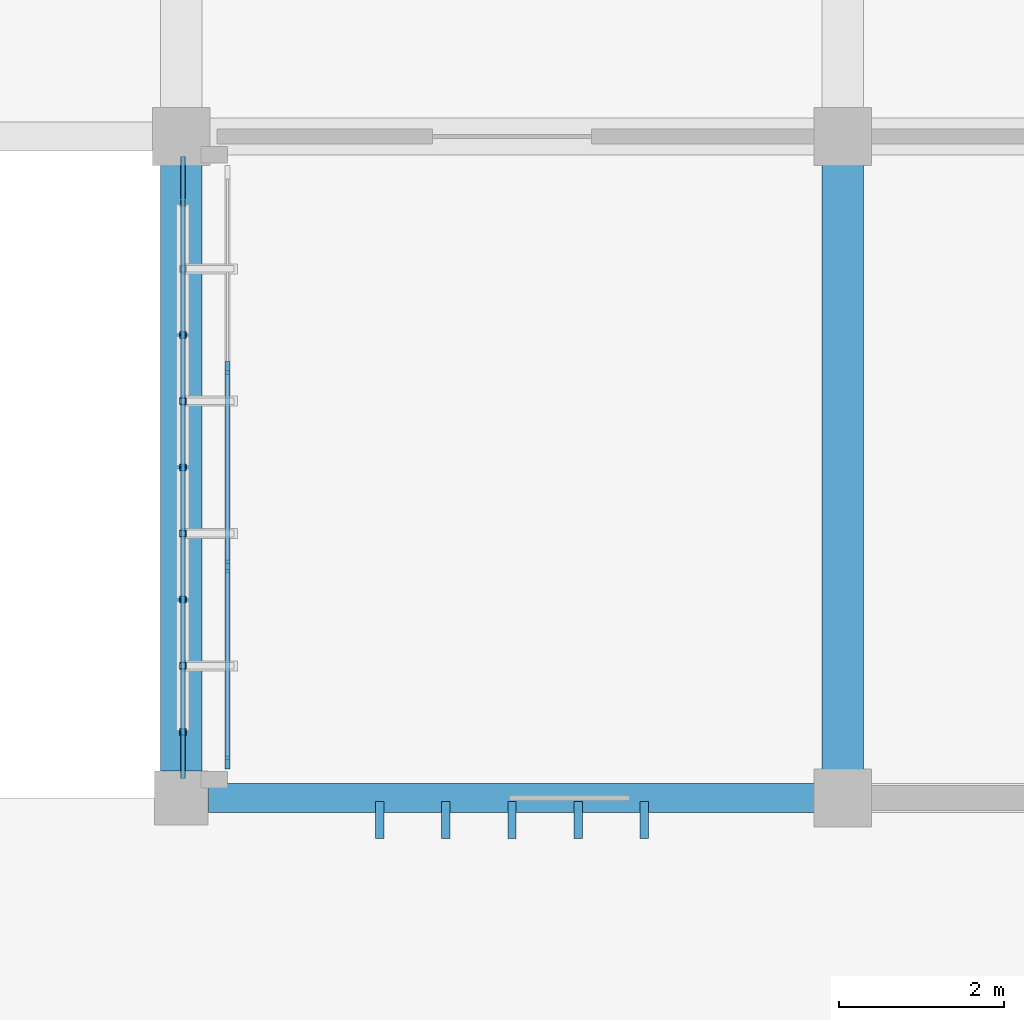
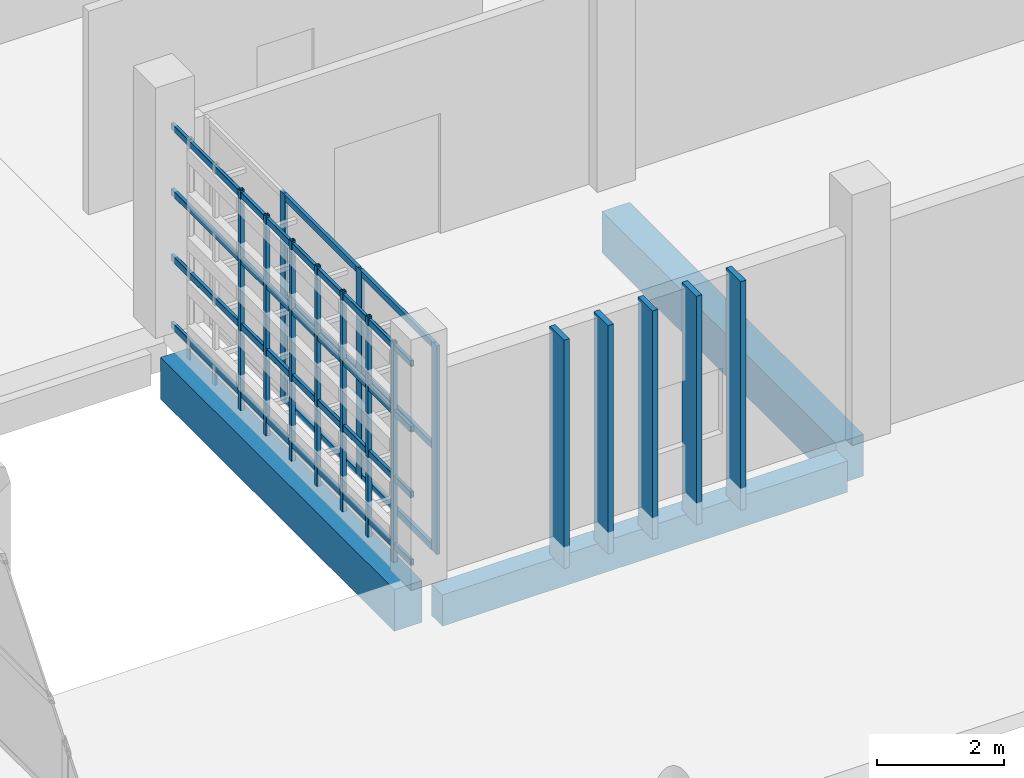
# One storey, part 25 of 117: 25 members, 3 beams, 1 element without a shape of its own.
"""IFC4 building model written with IfcOpenShell, lengths in metres."""

from ifc_helpers import new_model, si_unit, direction, frame, origin, origin_2d, place, context, subcontext, project, spatial, rectangle, hollow_rectangle, extrude, material, layer, layer_set, material_profile, profile_set, type_object, element, aggregate, save


model = new_model("IFC4")

# Units and contexts
model_context = context("Model", 3, precision=1e-05, world=origin(), true_north=direction((0.0, 1.0)))
body_context = subcontext(model_context, "Body", "Model", "MODEL_VIEW")
ifc_project = project(units=[si_unit("LENGTHUNIT", "METRE"), si_unit("AREAUNIT", "SQUARE_METRE"), si_unit("VOLUMEUNIT", "CUBIC_METRE"), si_unit("PLANEANGLEUNIT", "RADIAN"), si_unit("MASSUNIT", "GRAM", prefix="KILO")], contexts=[model_context])

# Site, building, storey
site_placement = place(None, origin())
site = spatial("IfcSite", under=ifc_project, at=site_placement, CompositionType="ELEMENT")
building_placement = place(site_placement, origin())
building = spatial("IfcBuilding", under=site, at=building_placement, Name="Jelvoka-Kovrelna Polytechnic", CompositionType="ELEMENT")
storey_placement = place(building_placement, origin())
storey = spatial("IfcBuildingStorey", under=building, at=storey_placement, Name="L01", CompositionType="ELEMENT", Elevation=0.0)

# Beams
ifc_material_1 = material(Name="Concrete C40/50", Category="concrete")
ifc_material_profile_1 = material_profile(ifc_material_1, rectangle(XDim=0.5, YDim=0.800048828125, at=origin_2d()), Name="RC 500x800")
ifc_profile_set_1 = profile_set([ifc_material_profile_1], Name="Concrete C40/50")
beam_type_1 = type_object("IfcBeamType", Name="Beam_RC_500x800", PredefinedType="BEAM", material=ifc_profile_set_1)
for number, where, z_axis, x_axis, name in (
    (1, (56.0, 8.330078125, -0.804931640625), (0.0, 1.0, 0.0), (-1.0, 0.0, 0.0), "L01 beam 0322"),
    (2, (64.0, 8.330078125, -0.804931640625), (0.0, 1.0, 0.0), (-1.0, 0.0, 0.0), "L01 beam 0324"),
):
    element("IfcBeam", number, at=place(storey_placement, frame(where, z_axis=z_axis, x_axis=x_axis)), inside=storey, type_object=beam_type_1, Name=name, PredefinedType="BEAM", context=body_context, shape_type="SweptSolid", body=[
        extrude(rectangle(XDim=0.5, YDim=0.800048828125, at=origin_2d()), origin(), (0.0, 0.0, 1.0), 7.33984375),
    ])

# Members
ifc_material_2 = material(Name="Precast concrete C40/50", Category="concrete")
ifc_material_profile_2 = material_profile(ifc_material_2, rectangle(XDim=0.10009765625, YDim=0.449951171875, at=origin_2d()), Name="PC 100x450")
ifc_profile_set_2 = profile_set([ifc_material_profile_2], Name="Precast concrete C40/50")
member_type_1 = type_object("IfcMemberType", Name="Louvre_Fin_100x450", PredefinedType="USERDEFINED", material=ifc_profile_set_2)
for number, where, z_axis, x_axis, name in (
    (3, (58.39990234375, 7.735107421875, -0.419921875), (0.0, 0.0, 1.0), (1.0, 0.0, 0.0), "L01 B1 south vertical solar louvre fin 0001"),
    (4, (59.199951171875, 7.735107421875, -0.419921875), (0.0, 0.0, 1.0), (1.0, 0.0, 0.0), "L01 B1 south vertical solar louvre fin 0002"),
    (5, (60.0, 7.735107421875, -0.419921875), (0.0, 0.0, 1.0), (1.0, 0.0, 0.0), "L01 B1 south vertical solar louvre fin 0003"),
    (6, (60.800048828125, 7.735107421875, -0.419921875), (0.0, 0.0, 1.0), (1.0, 0.0, 0.0), "L01 B1 south vertical solar louvre fin 0004"),
    (7, (61.60009765625, 7.735107421875, -0.419921875), (0.0, 0.0, 1.0), (1.0, 0.0, 0.0), "L01 B1 south vertical solar louvre fin 0005"),
):
    element("IfcMember", number, at=place(storey_placement, frame(where, z_axis=z_axis, x_axis=x_axis)), inside=storey, type_object=member_type_1, Name=name, ObjectType="SUNSHADE", PredefinedType="USERDEFINED", context=body_context, shape_type="SweptSolid", body=[
        extrude(rectangle(XDim=0.10009765625, YDim=0.449951171875, at=origin_2d()), origin(), (0.0, 0.0, 1.0), 4.3798828125),
    ])
ifc_material_3 = material(Name="Structural steel S355J2H", Category="steel")
ifc_material_profile_3 = material_profile(ifc_material_3, hollow_rectangle(XDim=0.06005859375, YDim=0.1201171875, WallThickness=0.0048828125, InnerFilletRadius=0.0048828125, OuterFilletRadius=0.007568359375, at=origin_2d()), Name="120x60x5.0 RHS")
ifc_profile_set_3 = profile_set([ifc_material_profile_3], Name="Structural steel S355J2H")
member_type_2 = type_object("IfcMemberType", Name="Member_Strut_RHS120", PredefinedType="STRUT", material=ifc_profile_set_3)
for number, where, z_axis, x_axis, name in (
    (8, (56.02001953125, 8.239990234375, 0.080078125), (0.0, 1.0, 0.0), (-1.0, 0.0, 0.0), "L01 terracotta screen horizontal strut 0001"),
    (9, (56.02001953125, 8.239990234375, 1.37548828125), (0.0, 1.0, 0.0), (-1.0, 0.0, 0.0), "L01 terracotta screen horizontal strut 0002"),
    (10, (56.02001953125, 8.239990234375, 2.6328125), (0.0, 1.0, 0.0), (-1.0, 0.0, 0.0), "L01 terracotta screen horizontal strut 0003"),
    (11, (56.02001953125, 8.239990234375, 3.889892578125), (0.0, 1.0, 0.0), (-1.0, 0.0, 0.0), "L01 terracotta screen horizontal strut 0004"),
):
    element("IfcMember", number, at=place(storey_placement, frame(where, z_axis=z_axis, x_axis=x_axis)), inside=storey, type_object=member_type_2, Name=name, PredefinedType="STRUT", context=body_context, shape_type="SweptSolid", body=[
        extrude(hollow_rectangle(XDim=0.06005859375, YDim=0.1201171875, WallThickness=0.0048828125, InnerFilletRadius=0.0048828125, OuterFilletRadius=0.007568359375, at=origin_2d()), origin(), (0.0, 0.0, 1.0), 7.52001953125),
    ])
ifc_material_4 = material(Name="Structural steel S355J2H", Category="steel")
ifc_material_profile_4 = material_profile(ifc_material_4, hollow_rectangle(XDim=0.080078125, YDim=0.080078125, WallThickness=0.0048828125, InnerFilletRadius=0.0048828125, OuterFilletRadius=0.007568359375, at=origin_2d()), Name="80x80x5.0 SHS")
ifc_profile_set_4 = profile_set([ifc_material_profile_4], Name="Structural steel S355J2H")
member_type_3 = type_object("IfcMemberType", Name="Member_Strut_SHS80", PredefinedType="STRUT", material=ifc_profile_set_4)
for number, where, z_axis, x_axis, name in (
    (12, (56.02001953125, 8.800048828125, -0.22998046875), (0.0, 0.0, 1.0), (1.0, 0.0, 0.0), "L01 terracotta lattice vertical rib 0005"),
    (13, (56.02001953125, 9.60009765625, -0.22998046875), (0.0, 0.0, 1.0), (1.0, 0.0, 0.0), "L01 terracotta lattice vertical rib 0006"),
    (14, (56.02001953125, 10.39990234375, -0.22998046875), (0.0, 0.0, 1.0), (1.0, 0.0, 0.0), "L01 terracotta lattice vertical rib 0007"),
    (15, (56.02001953125, 11.199951171875, -0.22998046875), (0.0, 0.0, 1.0), (1.0, 0.0, 0.0), "L01 terracotta lattice vertical rib 0008"),
    (16, (56.02001953125, 12.0, -0.22998046875), (0.0, 0.0, 1.0), (1.0, 0.0, 0.0), "L01 terracotta lattice vertical rib 0009"),
    (17, (56.02001953125, 12.800048828125, -0.22998046875), (0.0, 0.0, 1.0), (1.0, 0.0, 0.0), "L01 terracotta lattice vertical rib 0010"),
    (18, (56.02001953125, 13.60009765625, -0.22998046875), (0.0, 0.0, 1.0), (1.0, 0.0, 0.0), "L01 terracotta lattice vertical rib 0011"),
):
    element("IfcMember", number, at=place(storey_placement, frame(where, z_axis=z_axis, x_axis=x_axis)), inside=storey, type_object=member_type_3, Name=name, PredefinedType="STRUT", context=body_context, shape_type="SweptSolid", body=[
        extrude(hollow_rectangle(XDim=0.080078125, YDim=0.080078125, WallThickness=0.0048828125, InnerFilletRadius=0.0048828125, OuterFilletRadius=0.007568359375, at=origin_2d()), origin(), (0.0, 0.0, 1.0), 4.2099609375),
    ])

# Curtain wall, members
ifc_material_5 = material(Name="Anodised aluminium 6063-T6", Category="aluminium")
ifc_layer = layer(ifc_material_5, 0.159912109375)
ifc_layer_set = layer_set([ifc_layer], Name="Anodised aluminium 6063-T6")
curtain_wall_type = type_object("IfcCurtainWallType", Name="CW_Recessed_A", PredefinedType="NOTDEFINED", material=ifc_layer_set)
curtain_wall_placement = place(storey_placement, origin())
curtain_wall = element("IfcCurtainWall", 19, at=curtain_wall_placement, inside=storey, type_object=curtain_wall_type, Name="L01 glazed curtain wall 001", PredefinedType="NOTDEFINED")
ifc_material_6 = material(Name="Anodised aluminium 6063-T6", Category="aluminium")
ifc_material_profile_5 = material_profile(ifc_material_6, rectangle(XDim=0.06005859375, YDim=0.159912109375, at=origin_2d()), Name="ALU 60x160")
ifc_profile_set_5 = profile_set([ifc_material_profile_5], Name="Anodised aluminium 6063-T6")
member_type_4 = type_object("IfcMemberType", Name="Mullion_M-01", PredefinedType="MULLION", material=ifc_profile_set_5)
member_1_placement = place(storey_placement, frame((56.56005859375, 8.429931640625, -0.02490234375), z_axis=(0.0, 0.0, 1.0), x_axis=(-1.0, 0.0, 0.0)))
member_1 = element("IfcMember", 20, at=member_1_placement, type_object=member_type_4, Name="CW-01 mullion 1", PredefinedType="MULLION", context=body_context, shape_type="SweptSolid", body=[
    extrude(rectangle(XDim=0.06005859375, YDim=0.159912109375, at=origin_2d()), origin(), (0.0, 0.0, 1.0), 4.0),
])
member_2_placement = place(storey_placement, frame((56.56005859375, 10.800048828125, -0.02490234375), z_axis=(0.0, 0.0, 1.0), x_axis=(-1.0, 0.0, 0.0)))
member_2 = element("IfcMember", 21, at=member_2_placement, type_object=member_type_4, Name="CW-01 mullion 2", PredefinedType="MULLION", context=body_context, shape_type="SweptSolid", body=[
    extrude(rectangle(XDim=0.06005859375, YDim=0.159912109375, at=origin_2d()), origin(), (0.0, 0.0, 1.0), 4.0),
])
member_3_placement = place(storey_placement, frame((56.56005859375, 13.199951171875, -0.02490234375), z_axis=(0.0, 0.0, 1.0), x_axis=(-1.0, 0.0, 0.0)))
member_3 = element("IfcMember", 22, at=member_3_placement, type_object=member_type_4, Name="CW-01 mullion 3", PredefinedType="MULLION", context=body_context, shape_type="SweptSolid", body=[
    extrude(rectangle(XDim=0.06005859375, YDim=0.159912109375, at=origin_2d()), origin(), (0.0, 0.0, 1.0), 4.0),
])

# Beam
ifc_material_7 = material(Name="Concrete C40/50", Category="concrete")
ifc_material_profile_6 = material_profile(ifc_material_7, rectangle(XDim=0.35009765625, YDim=0.60009765625, at=origin_2d()), Name="RC 350x600")
ifc_profile_set_6 = profile_set([ifc_material_profile_6], Name="Concrete C40/50")
beam_type_2 = type_object("IfcBeamType", Name="Spandrel_RC_350x600", PredefinedType="SPANDREL", material=ifc_profile_set_6)
beam_placement = place(storey_placement, frame((56.330078125, 8.0, -0.705078125), z_axis=(1.0, 0.0, 0.0), x_axis=(0.0, 1.0, 0.0)))
element("IfcBeam", 23, at=beam_placement, inside=storey, type_object=beam_type_2, Name="L01 beam 0302", PredefinedType="SPANDREL", context=body_context, shape_type="SweptSolid", body=[
    extrude(rectangle(XDim=0.35009765625, YDim=0.60009765625, at=origin_2d()), origin(), (0.0, 0.0, 1.0), 7.33984375),
])

# Member
ifc_material_8 = material(Name="Anodised aluminium 6063-T6", Category="aluminium")
ifc_material_profile_7 = material_profile(ifc_material_8, rectangle(XDim=0.06005859375, YDim=0.1201171875, at=origin_2d()), Name="ALU 60x120")
ifc_profile_set_7 = profile_set([ifc_material_profile_7], Name="Anodised aluminium 6063-T6")
member_type_5 = type_object("IfcMemberType", Name="Transom_T-01", PredefinedType="USERDEFINED", material=ifc_profile_set_7)
member_4_placement = place(storey_placement, frame((56.56005859375, 8.4599609375, 0.030029296875), z_axis=(0.0, 1.0, 0.0), x_axis=(-1.0, 0.0, 0.0)))
member_4 = element("IfcMember", 24, at=member_4_placement, type_object=member_type_5, Name="CW-01 transom 1.1", ObjectType="TRANSOM", PredefinedType="USERDEFINED", context=body_context, shape_type="SweptSolid", body=[
    extrude(rectangle(XDim=0.06005859375, YDim=0.1201171875, at=origin_2d()), origin(), (0.0, 0.0, 1.0), 2.31005859375),
])

member_5_placement = place(storey_placement, frame((56.56005859375, 8.4599609375, 1.97509765625), z_axis=(0.0, 1.0, 0.0), x_axis=(-1.0, 0.0, 0.0)))
member_5 = element("IfcMember", 25, at=member_5_placement, type_object=member_type_5, Name="CW-01 transom 1.2", ObjectType="TRANSOM", PredefinedType="USERDEFINED", context=body_context, shape_type="SweptSolid", body=[
    extrude(rectangle(XDim=0.06005859375, YDim=0.1201171875, at=origin_2d()), origin(), (0.0, 0.0, 1.0), 2.31005859375),
])

member_6_placement = place(storey_placement, frame((56.56005859375, 8.4599609375, 3.919921875), z_axis=(0.0, 1.0, 0.0), x_axis=(-1.0, 0.0, 0.0)))
member_6 = element("IfcMember", 26, at=member_6_placement, type_object=member_type_5, Name="CW-01 transom 1.3", ObjectType="TRANSOM", PredefinedType="USERDEFINED", context=body_context, shape_type="SweptSolid", body=[
    extrude(rectangle(XDim=0.06005859375, YDim=0.1201171875, at=origin_2d()), origin(), (0.0, 0.0, 1.0), 2.31005859375),
])

member_7_placement = place(storey_placement, frame((56.56005859375, 10.830078125, 0.030029296875), z_axis=(0.0, 1.0, 0.0), x_axis=(-1.0, 0.0, 0.0)))
member_7 = element("IfcMember", 27, at=member_7_placement, type_object=member_type_5, Name="CW-01 transom 2.1", ObjectType="TRANSOM", PredefinedType="USERDEFINED", context=body_context, shape_type="SweptSolid", body=[
    extrude(rectangle(XDim=0.06005859375, YDim=0.1201171875, at=origin_2d()), origin(), (0.0, 0.0, 1.0), 2.33984375),
])

member_8_placement = place(storey_placement, frame((56.56005859375, 10.830078125, 1.97509765625), z_axis=(0.0, 1.0, 0.0), x_axis=(-1.0, 0.0, 0.0)))
member_8 = element("IfcMember", 28, at=member_8_placement, type_object=member_type_5, Name="CW-01 transom 2.2", ObjectType="TRANSOM", PredefinedType="USERDEFINED", context=body_context, shape_type="SweptSolid", body=[
    extrude(rectangle(XDim=0.06005859375, YDim=0.1201171875, at=origin_2d()), origin(), (0.0, 0.0, 1.0), 2.33984375),
])

member_9_placement = place(storey_placement, frame((56.56005859375, 10.830078125, 3.919921875), z_axis=(0.0, 1.0, 0.0), x_axis=(-1.0, 0.0, 0.0)))
member_9 = element("IfcMember", 29, at=member_9_placement, type_object=member_type_5, Name="CW-01 transom 2.3", ObjectType="TRANSOM", PredefinedType="USERDEFINED", context=body_context, shape_type="SweptSolid", body=[
    extrude(rectangle(XDim=0.06005859375, YDim=0.1201171875, at=origin_2d()), origin(), (0.0, 0.0, 1.0), 2.33984375),
])

aggregate(curtain_wall, [member_1, member_2, member_3, member_4, member_5, member_6, member_7, member_8, member_9])

save(model, "model.ifc")
